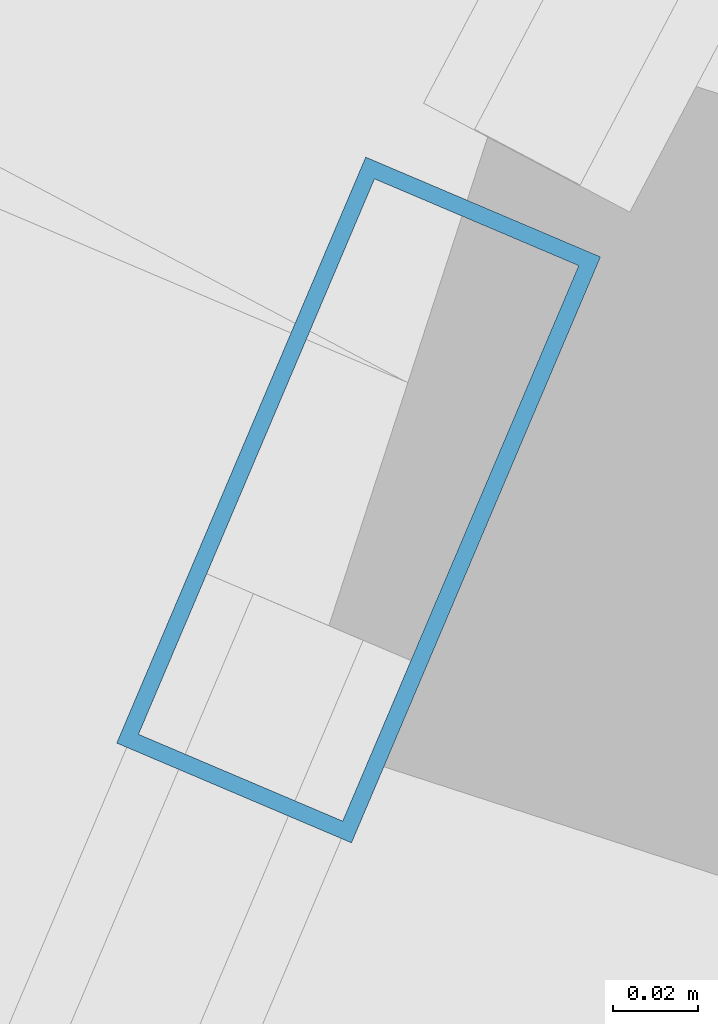
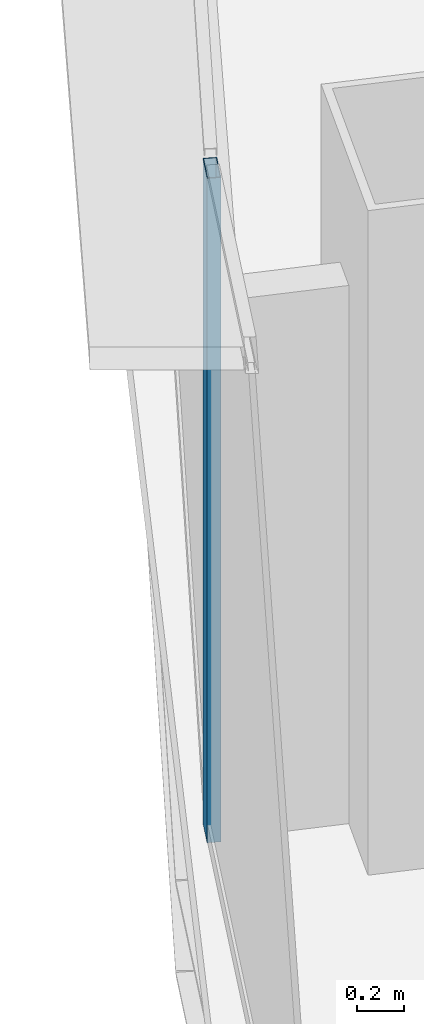
# One storey, part 8 of 39: 1 member, 1 element without a shape of its own.
"""IFC4 building model written with IfcOpenShell, lengths in metres."""

from ifc_helpers import new_model, si_unit, direction, frame, origin, origin_2d, place, context, subcontext, project, spatial, hollow_rectangle, extrude, source, transform, mapped, material, layer, layer_set, material_profile, profile_set, type_object, element, aggregate, save


model = new_model("IFC4")

# Units and contexts
model_context = context("Model", 3, precision=1e-05, world=origin(), true_north=direction((0.0, 1.0)))
body_context = subcontext(model_context, "Body", "Model", "MODEL_VIEW")
ifc_project = project(units=[si_unit("LENGTHUNIT", "METRE"), si_unit("AREAUNIT", "SQUARE_METRE"), si_unit("VOLUMEUNIT", "CUBIC_METRE"), si_unit("PLANEANGLEUNIT", "RADIAN"), si_unit("MASSUNIT", "GRAM", prefix="KILO"), si_unit("THERMODYNAMICTEMPERATUREUNIT", "KELVIN"), si_unit("POWERUNIT", "WATT")], contexts=[model_context])

# Site, building, storey
site_placement = place(None, origin())
site = spatial("IfcSite", under=ifc_project, at=site_placement, CompositionType="ELEMENT")
building_placement = place(site_placement, origin())
building = spatial("IfcBuilding", under=site, at=building_placement, Name="Yunzhuo Pagoda Commons", CompositionType="ELEMENT")
storey_placement = place(building_placement, frame((0.0, 0.0, 166.6298828125)))
storey = spatial("IfcBuildingStorey", under=building, at=storey_placement, Name="L42", CompositionType="ELEMENT", Elevation=166.6298828125)

# Curtain wall, member
ifc_material = material(Name="Anodized aluminium 6063-T6", Category="aluminium")
ifc_layer = layer(ifc_material, 0.14990234375)
ifc_layer_set = layer_set([ifc_layer], Name="Anodized aluminium 6063-T6")
curtain_wall_type = type_object("IfcCurtainWallType", Name="CW-MID Mid-Zone Ribbon Curtain Wall", PredefinedType="NOTDEFINED", material=ifc_layer_set)
curtain_wall_placement = place(storey_placement, origin())
curtain_wall = element("IfcCurtainWall", 1, at=curtain_wall_placement, inside=storey, type_object=curtain_wall_type, Name="L42 curtain wall CW-L42-F3B4", PredefinedType="NOTDEFINED")
ifc_material_profile = material_profile(ifc_material, hollow_rectangle(XDim=0.06005859375, YDim=0.14990234375, WallThickness=0.00390625, at=origin_2d()), Name="Anodized aluminium 6063-T6")
ifc_profile_set = profile_set([ifc_material_profile], Name="Anodized aluminium 6063-T6")
member_type = type_object("IfcMemberType", Name="CW-MID-M Mullion RHS 150x60x4", PredefinedType="MULLION", material=ifc_profile_set)
shared_shape = source(origin(), body_context, "Body", "SweptSolid", [
    extrude(hollow_rectangle(XDim=0.06005859375, YDim=0.14990234375, WallThickness=0.00390625, at=origin_2d()), origin(), (0.0, 0.0, 1.0), 3.420166015625),
])
member_placement = place(storey_placement, frame((17.074462890625, 43.717041015625, 0.0), z_axis=(0.0, 0.0, 1.0), x_axis=(0.920363798122, -0.391063267395, 0.0)))
member = element("IfcMember", 2, at=member_placement, type_object=member_type, Name="CW mullion 1", PredefinedType="MULLION", context=body_context, shape_type="MappedRepresentation", body=[
    mapped(shared_shape, transform((0.0, 0.0, 0.0), scale=1.0)),
])
aggregate(curtain_wall, [member])

save(model, "model.ifc")
